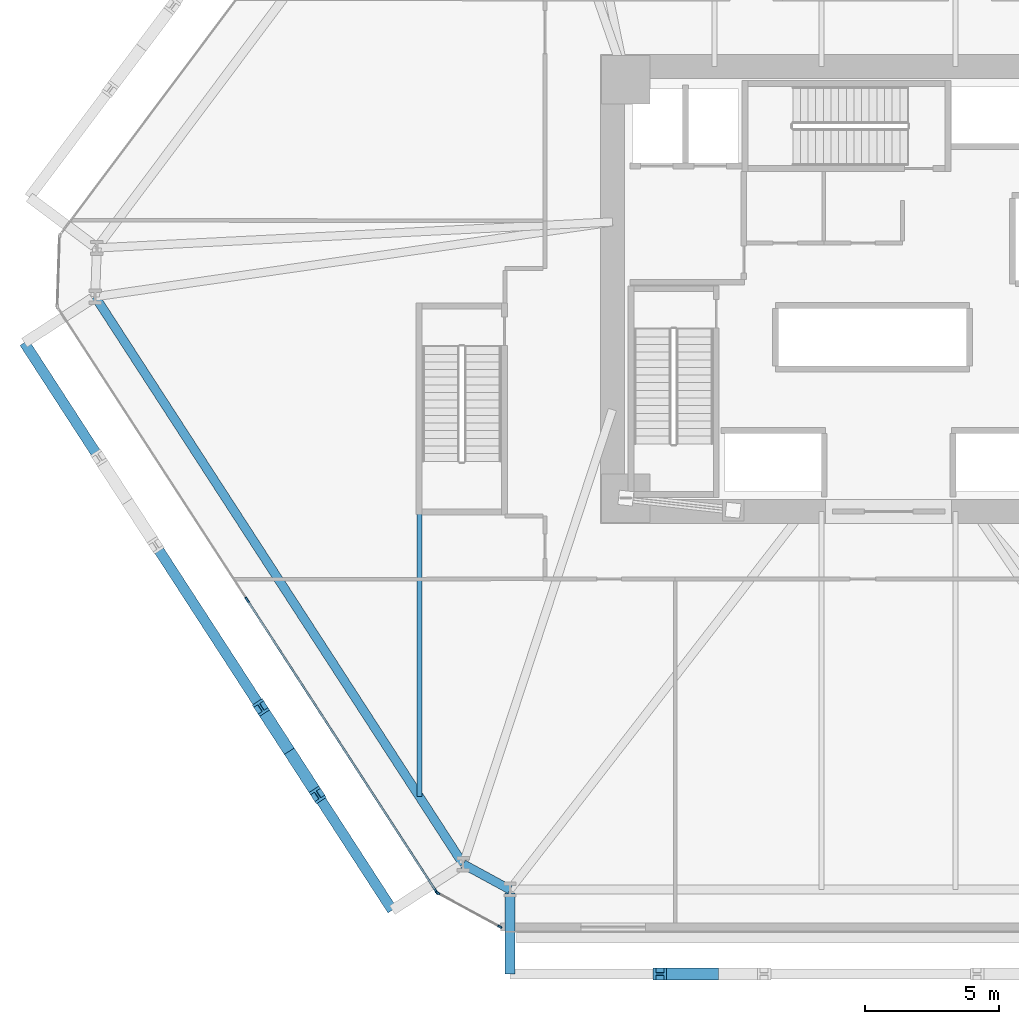
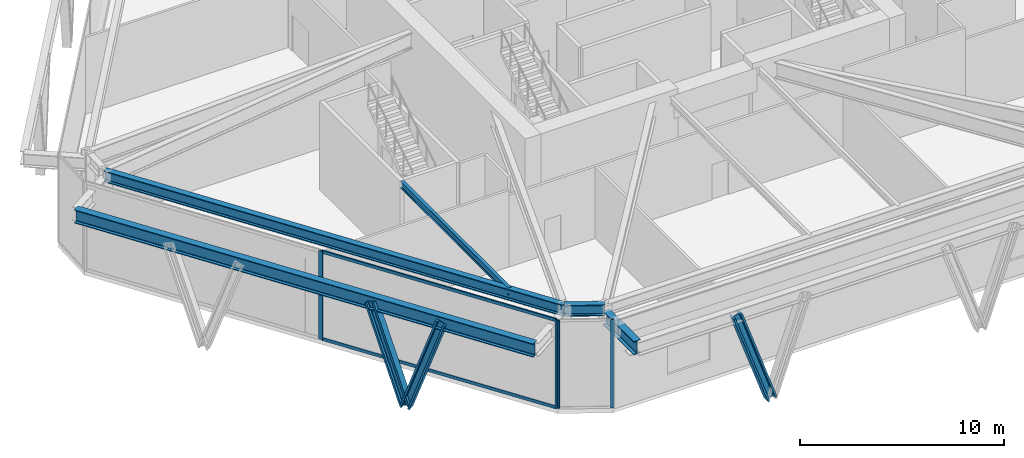
# One storey, part 2 of 19: 9 members, 5 beams, 2 elements without a shape of their own.
"""IFC4 building model written with IfcOpenShell, lengths in metres."""

from ifc_helpers import new_model, si_unit, direction, frame, origin, origin_2d, place, context, subcontext, project, spatial, rectangle, i_section, extrude, source, transform, mapped, material, layer, layer_set, material_profile, profile_set, type_object, type_shapes, element, aggregate, save


model = new_model("IFC4")

# Units and contexts
model_context = context("Model", 3, precision=1e-05, world=origin(), true_north=direction((0.0, 1.0)))
body_context = subcontext(model_context, "Body", "Model", "MODEL_VIEW")
ifc_project = project(units=[si_unit("LENGTHUNIT", "METRE"), si_unit("AREAUNIT", "SQUARE_METRE"), si_unit("VOLUMEUNIT", "CUBIC_METRE"), si_unit("PLANEANGLEUNIT", "RADIAN"), si_unit("MASSUNIT", "GRAM", prefix="KILO")], contexts=[model_context])

# Site, building, storey
site_placement = place(None, origin())
site = spatial("IfcSite", under=ifc_project, at=site_placement, CompositionType="ELEMENT")
building_placement = place(site_placement, origin())
building = spatial("IfcBuilding", under=site, at=building_placement, Name="Durnholm Broadcast Tower", CompositionType="ELEMENT")
storey_placement = place(building_placement, frame((0.0, 0.0, 15.60009765625)))
storey = spatial("IfcBuildingStorey", under=building, at=storey_placement, Name="L03", CompositionType="ELEMENT", Elevation=15.60009765625)

# Beams
ifc_material_1 = material(Name="Steel ASTM A992 Grade 50", Category="steel")
ifc_material_profile_1 = material_profile(ifc_material_1, i_section(OverallWidth=0.3330078125, OverallDepth=0.660888671875, WebThickness=0.0244140625, FlangeThickness=0.0439453125, FilletRadius=0.02783203125, at=origin_2d()), Name="W24X229")
ifc_profile_set_1 = profile_set([ifc_material_profile_1], Name="Steel ASTM A992 Grade 50")
beam_type_1 = type_object("IfcBeamType", Name="STL-SP-W24X229", PredefinedType="SPANDREL", material=ifc_profile_set_1)
shared_shape_1 = source(origin(), body_context, "Body", "SweptSolid", [
    extrude(i_section(OverallWidth=0.3330078125, OverallDepth=0.660888671875, WebThickness=0.0244140625, FlangeThickness=0.0439453125, FilletRadius=0.02783203125, at=origin_2d()), origin(), (0.0, 0.0, 1.0), 25.22265625),
])
beam_1_placement = place(storey_placement, frame((-15.866455078125, -21.45068359375, 4.934326171875), z_axis=(-0.544117081794, 0.839009297505, 0.0), x_axis=(-0.839009297505, -0.544117081794, 0.0)))
element("IfcBeam", 1, at=beam_1_placement, inside=storey, type_object=beam_type_1, Name="L03 perimeter spandrel girder 01", PredefinedType="SPANDREL", context=body_context, shape_type="MappedRepresentation", body=[
    mapped(shared_shape_1, transform((0.0, 0.0, 0.0), x_axis=(1.0, 0.0, 0.0), y_axis=(0.0, 1.0, 0.0), z_axis=(0.0, 0.0, 1.0), scale=1.0)),
])
shared_shape_2 = source(origin(), body_context, "Body", "SweptSolid", [
    extrude(i_section(OverallWidth=0.3330078125, OverallDepth=0.660888671875, WebThickness=0.0244140625, FlangeThickness=0.0439453125, FilletRadius=0.02783203125, at=origin_2d()), origin(), (0.0, 0.0, 1.0), 1.98828125),
])
type_shapes(beam_type_1, [shared_shape_1, shared_shape_2])
beam_2_placement = place(storey_placement, frame((-14.119384765625, -22.39990234375, 4.934326171875), z_axis=(-0.878682739647, 0.477406161508, 0.0), x_axis=(-0.477406161508, -0.878682739647, 0.0)))
element("IfcBeam", 2, at=beam_2_placement, inside=storey, type_object=beam_type_1, Name="L03 perimeter spandrel girder 12", PredefinedType="SPANDREL", context=body_context, shape_type="MappedRepresentation", body=[
    mapped(shared_shape_2, transform((0.0, 0.0, 0.0), x_axis=(1.0, 0.0, 0.0), y_axis=(0.0, 1.0, 0.0), z_axis=(0.0, 0.0, 1.0), scale=1.0)),
])
ifc_material_profile_2 = material_profile(ifc_material_1, i_section(OverallWidth=0.180908203125, OverallDepth=0.417236328125, WebThickness=0.010986328125, FlangeThickness=0.018310546875, FilletRadius=0.01904296875, at=origin_2d()), Name="W16X57")
ifc_profile_set_2 = profile_set([ifc_material_profile_2], Name="Steel ASTM A992 Grade 50")
beam_type_2 = type_object("IfcBeamType", Name="STL-BJ-W16X57", PredefinedType="JOIST", material=ifc_profile_set_2)
shared_shape_3 = source(origin(), body_context, "Body", "SweptSolid", [
    extrude(i_section(OverallWidth=0.180908203125, OverallDepth=0.417236328125, WebThickness=0.010986328125, FlangeThickness=0.018310546875, FilletRadius=0.01904296875, at=origin_2d()), origin(), (0.0, 0.0, 1.0), 10.581787109375),
])
type_shapes(beam_type_2, [shared_shape_3])
beam_3_placement = place(storey_placement, frame((-17.5, -18.931884765625, 5.05615234375), z_axis=(0.0, 1.0, 0.0), x_axis=(-1.0, 0.0, 0.0)))
element("IfcBeam", 3, at=beam_3_placement, inside=storey, type_object=beam_type_2, Name="L03 secondary floor joist 2.1", PredefinedType="JOIST", context=body_context, shape_type="MappedRepresentation", body=[
    mapped(shared_shape_3, transform((0.0, 0.0, 0.0), x_axis=(1.0, 0.0, 0.0), y_axis=(0.0, 1.0, 0.0), z_axis=(0.0, 0.0, 1.0), scale=1.0)),
])
ifc_material_profile_3 = material_profile(ifc_material_1, i_section(OverallWidth=0.385009765625, OverallDepth=0.802978515625, WebThickness=0.023681640625, FlangeThickness=0.0419921875, FilletRadius=0.032958984375, at=origin_2d()), Name="W30X261")
ifc_profile_set_3 = profile_set([ifc_material_profile_3], Name="Steel ASTM A992 Grade 50")
beam_type_3 = type_object("IfcBeamType", Name="BM-EXO-TIE", PredefinedType="USERDEFINED", material=ifc_profile_set_3)
shared_shape_4 = source(origin(), body_context, "Body", "SweptSolid", [
    extrude(i_section(OverallWidth=0.385009765625, OverallDepth=0.802978515625, WebThickness=0.023681640625, FlangeThickness=0.0419921875, FilletRadius=0.032958984375, at=origin_2d()), origin(), (0.0, 0.0, 1.0), 3.024169921875),
])
beam_4_placement = place(storey_placement, frame((-14.119384765625, -22.52587890625, 4.5283203125), z_axis=(0.0, -1.0, 0.0), x_axis=(1.0, 0.0, 0.0)))
element("IfcBeam", 4, at=beam_4_placement, inside=storey, type_object=beam_type_3, Name="L03 exoskeleton stand-off tie bracket F1.1", ObjectType="GIRDER", PredefinedType="USERDEFINED", context=body_context, shape_type="MappedRepresentation", body=[
    mapped(shared_shape_4, transform((0.0, 0.0, 0.0), x_axis=(1.0, 0.0, 0.0), y_axis=(0.0, 1.0, 0.0), z_axis=(0.0, 0.0, 1.0), scale=1.0)),
])
shared_shape_5 = source(origin(), body_context, "Body", "SweptSolid", [
    extrude(i_section(OverallWidth=0.385009765625, OverallDepth=0.802978515625, WebThickness=0.023681640625, FlangeThickness=0.0419921875, FilletRadius=0.032958984375, at=origin_2d()), origin(), (0.0, 0.0, 1.0), 25.222412109375),
])
type_shapes(beam_type_3, [shared_shape_4, shared_shape_5])
beam_5_placement = place(storey_placement, frame((-32.2333984375, -2.002685546875, 4.5283203125), z_axis=(0.544114686912, -0.839010850637, 0.0), x_axis=(0.839010850637, 0.544114686912, 0.0)))
element("IfcBeam", 5, at=beam_5_placement, inside=storey, type_object=beam_type_3, Name="L03 exoskeleton collector spandrel F6", PredefinedType="SPANDREL", context=body_context, shape_type="MappedRepresentation", body=[
    mapped(shared_shape_5, transform((0.0, 0.0, 0.0), x_axis=(1.0, 0.0, 0.0), y_axis=(0.0, 1.0, 0.0), z_axis=(0.0, 0.0, 1.0), scale=1.0)),
])

# Members
ifc_material_2 = material(Name="Steel ASTM A913 Grade 65", Category="steel")
ifc_material_profile_4 = material_profile(ifc_material_2, i_section(OverallWidth=0.44189453125, OverallDepth=0.531494140625, WebThickness=0.06591796875, FlangeThickness=0.105712890625, FilletRadius=0.030517578125, at=origin_2d()), Name="W14X605")
ifc_profile_set_4 = profile_set([ifc_material_profile_4], Name="Steel ASTM A913 Grade 65")
member_type_1 = type_object("IfcMemberType", Name="STL-DG-W14X605", PredefinedType="BRACE", material=ifc_profile_set_4)
shared_shape_6 = source(origin(), body_context, "Body", "SweptSolid", [
    extrude(i_section(OverallWidth=0.44189453125, OverallDepth=0.531494140625, WebThickness=0.06591796875, FlangeThickness=0.105712890625, FilletRadius=0.030517578125, at=origin_2d()), origin(), (0.0, 0.0, 1.0), 5.927734375),
])
type_shapes(member_type_1, [shared_shape_6])
for number, where, z_axis, x_axis, name in (
    (6, (-6.58984375, -25.550048828125, -1.071533203125), (-0.327966255365, 0.0, 0.944689438568), (0.0, -1.0, 0.0), "L03 stand-off diagrid brace F1.D1.1"),
    (7, (-22.35205078125, -17.2392578125, -1.071533203125), (-0.17845788453, 0.275203227424, 0.944677705392), (-0.839034101522, -0.544078832968, 0.0), "L03 stand-off diagrid brace F6.D2.1"),
    (8, (-22.35205078125, -17.2392578125, -1.071533203125), (0.178459907135, -0.275165160298, 0.944688412178), (0.838996925284, 0.544136158847, 0.0), "L03 stand-off diagrid brace F6.D2.2"),
):
    element("IfcMember", number, at=place(storey_placement, frame(where, z_axis=z_axis, x_axis=x_axis)), inside=storey, type_object=member_type_1, Name=name, PredefinedType="BRACE", context=body_context, shape_type="MappedRepresentation", body=[
        mapped(shared_shape_6, transform((0.0, 0.0, 0.0), x_axis=(1.0, 0.0, 0.0), y_axis=(0.0, 1.0, 0.0), z_axis=(0.0, 0.0, 1.0), scale=1.0)),
    ])

# Curtain wall, members
ifc_material_3 = material(Name="Aluminium and Solar Control IGU", Category="aluminium")
ifc_layer_1 = layer(ifc_material_3, 0.1650390625)
ifc_layer_set_1 = layer_set([ifc_layer_1], Name="Aluminium and Solar Control IGU")
curtain_wall_type_1 = type_object("IfcCurtainWallType", Name="CW-SYS-5", PredefinedType="NOTDEFINED", material=ifc_layer_set_1)
curtain_wall_1_placement = place(storey_placement, origin())
curtain_wall_1 = element("IfcCurtainWall", 9, at=curtain_wall_1_placement, inside=storey, type_object=curtain_wall_type_1, Name="L03 curtain wall CW-CORNER CW-L03-CRN-11", PredefinedType="NOTDEFINED")
ifc_material_4 = material(Name="Aluminium 6063-T6", Category="aluminium")
ifc_material_profile_5 = material_profile(ifc_material_4, rectangle(XDim=0.06494140625, YDim=0.1650390625, at=origin_2d()), Name="CWM65X165")
ifc_profile_set_5 = profile_set([ifc_material_profile_5], Name="Aluminium 6063-T6")
member_type_2 = type_object("IfcMemberType", Name="CW-SYS-5-MUL", PredefinedType="MULLION", material=ifc_profile_set_5)
shared_shape_7 = source(origin(), body_context, "Body", "SweptSolid", [
    extrude(rectangle(XDim=0.06494140625, YDim=0.1650390625, at=origin_2d()), origin(), (0.0, 0.0, 1.0), 5.27978515625),
])
type_shapes(member_type_2, [shared_shape_7])
member_1_placement = place(storey_placement, frame((-14.503662109375, -23.784423828125, 0.0), z_axis=(0.0, 0.0, 1.0), x_axis=(-0.477442460995, -0.878663016429, 0.0)))
member_1 = element("IfcMember", 10, at=member_1_placement, type_object=member_type_2, Name="CW-CORNER mullion 1", PredefinedType="MULLION", context=body_context, shape_type="MappedRepresentation", body=[
    mapped(shared_shape_7, transform((0.0, 0.0, 0.0), x_axis=(1.0, 0.0, 0.0), y_axis=(0.0, 1.0, 0.0), z_axis=(0.0, 0.0, 1.0), scale=1.0)),
])
member_2_placement = place(storey_placement, frame((-16.81884765625, -22.5263671875, 0.0), z_axis=(0.0, 0.0, 1.0), x_axis=(-0.477442460995, -0.878663016429, 0.0)))
member_2 = element("IfcMember", 11, at=member_2_placement, type_object=member_type_2, Name="CW-CORNER mullion 2", PredefinedType="MULLION", context=body_context, shape_type="MappedRepresentation", body=[
    mapped(shared_shape_7, transform((0.0, 0.0, 0.0), x_axis=(1.0, 0.0, 0.0), y_axis=(0.0, 1.0, 0.0), z_axis=(0.0, 0.0, 1.0), scale=1.0)),
])
aggregate(curtain_wall_1, [member_1, member_2])

ifc_layer_2 = layer(ifc_material_3, 0.219970703125)
ifc_layer_set_2 = layer_set([ifc_layer_2], Name="Aluminium and Solar Control IGU")
curtain_wall_type_2 = type_object("IfcCurtainWallType", Name="CW-SYS-2", PredefinedType="NOTDEFINED", material=ifc_layer_set_2)
curtain_wall_2_placement = place(storey_placement, origin())
curtain_wall_2 = element("IfcCurtainWall", 12, at=curtain_wall_2_placement, inside=storey, type_object=curtain_wall_type_2, Name="L03 curtain wall CW-STUDIO CW-L03-F12", PredefinedType="NOTDEFINED")
ifc_material_profile_6 = material_profile(ifc_material_4, rectangle(XDim=0.074951171875, YDim=0.219970703125, at=origin_2d()), Name="CWM75X220")
ifc_profile_set_6 = profile_set([ifc_material_profile_6], Name="Aluminium 6063-T6")
member_type_3 = type_object("IfcMemberType", Name="CW-SYS-2-MUL", PredefinedType="MULLION", material=ifc_profile_set_6)
shared_shape_8 = source(origin(), body_context, "Body", "SweptSolid", [
    extrude(rectangle(XDim=0.074951171875, YDim=0.219970703125, at=origin_2d()), origin(), (0.0, 0.0, 1.0), 5.27978515625),
])
type_shapes(member_type_3, [shared_shape_8])
member_3_placement = place(storey_placement, frame((-16.867919921875, -22.4794921875, 0.0), z_axis=(0.0, 0.0, 1.0), x_axis=(-0.839009373297, -0.544116964926, 0.0)))
member_3 = element("IfcMember", 13, at=member_3_placement, type_object=member_type_3, Name="CW-STUDIO mullion 1", PredefinedType="MULLION", context=body_context, shape_type="MappedRepresentation", body=[
    mapped(shared_shape_8, transform((0.0, 0.0, 0.0), x_axis=(1.0, 0.0, 0.0), y_axis=(0.0, 1.0, 0.0), z_axis=(0.0, 0.0, 1.0), scale=1.0)),
])
member_4_placement = place(storey_placement, frame((-23.926025390625, -11.59619140625, 0.0), z_axis=(0.0, 0.0, 1.0), x_axis=(-0.839009373297, -0.544116964926, 0.0)))
member_4 = element("IfcMember", 14, at=member_4_placement, type_object=member_type_3, Name="CW-STUDIO mullion 2", PredefinedType="MULLION", context=body_context, shape_type="MappedRepresentation", body=[
    mapped(shared_shape_8, transform((0.0, 0.0, 0.0), x_axis=(1.0, 0.0, 0.0), y_axis=(0.0, 1.0, 0.0), z_axis=(0.0, 0.0, 1.0), scale=1.0)),
])
ifc_material_profile_7 = material_profile(ifc_material_4, rectangle(XDim=0.074951171875, YDim=0.179931640625, at=origin_2d()), Name="CWT75X180")
ifc_profile_set_7 = profile_set([ifc_material_profile_7], Name="Aluminium 6063-T6")
member_type_4 = type_object("IfcMemberType", Name="CW-SYS-2-TRN", PredefinedType="USERDEFINED", material=ifc_profile_set_7)
shared_shape_9 = source(origin(), body_context, "Body", "SweptSolid", [
    extrude(rectangle(XDim=0.074951171875, YDim=0.179931640625, at=origin_2d()), origin(), (0.0, 0.0, 1.0), 12.896728515625),
])
type_shapes(member_type_4, [shared_shape_9])
member_5_placement = place(storey_placement, frame((-16.888427734375, -22.447998046875, 0.037353515625), z_axis=(-0.544101072489, 0.839019679695, 0.0), x_axis=(-0.839019679695, -0.544101072489, 0.0)))
member_5 = element("IfcMember", 15, at=member_5_placement, type_object=member_type_4, Name="CW-STUDIO transom 1.1", ObjectType="TRANSOM", PredefinedType="USERDEFINED", context=body_context, shape_type="MappedRepresentation", body=[
    mapped(shared_shape_9, transform((0.0, 0.0, 0.0), x_axis=(1.0, 0.0, 0.0), y_axis=(0.0, 1.0, 0.0), z_axis=(0.0, 0.0, 1.0), scale=1.0)),
])
member_6_placement = place(storey_placement, frame((-16.888427734375, -22.447998046875, 5.242431640625), z_axis=(-0.544101072489, 0.839019679695, 0.0), x_axis=(-0.839019679695, -0.544101072489, 0.0)))
member_6 = element("IfcMember", 16, at=member_6_placement, type_object=member_type_4, Name="CW-STUDIO transom 1.2", ObjectType="TRANSOM", PredefinedType="USERDEFINED", context=body_context, shape_type="MappedRepresentation", body=[
    mapped(shared_shape_9, transform((0.0, 0.0, 0.0), x_axis=(1.0, 0.0, 0.0), y_axis=(0.0, 1.0, 0.0), z_axis=(0.0, 0.0, 1.0), scale=1.0)),
])
aggregate(curtain_wall_2, [member_3, member_4, member_5, member_6])

save(model, "model.ifc")
